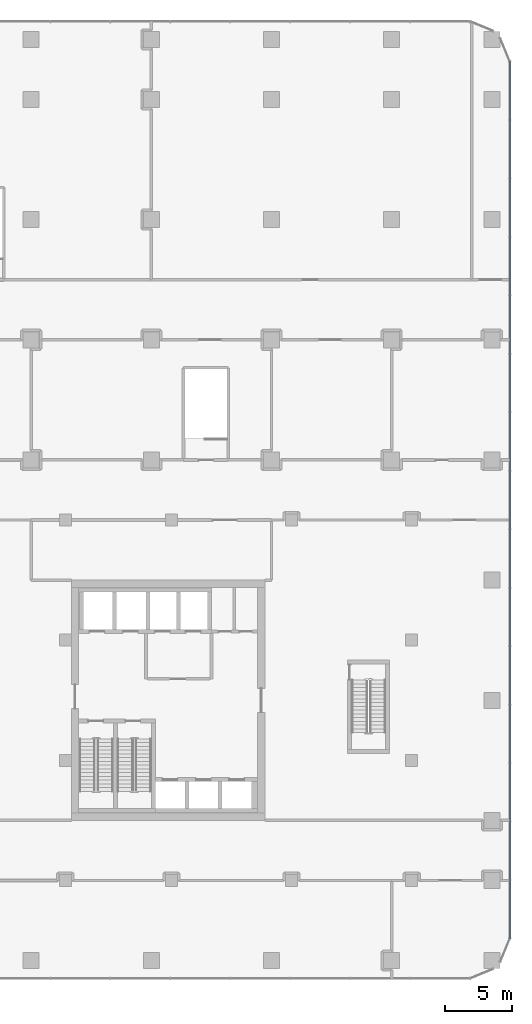
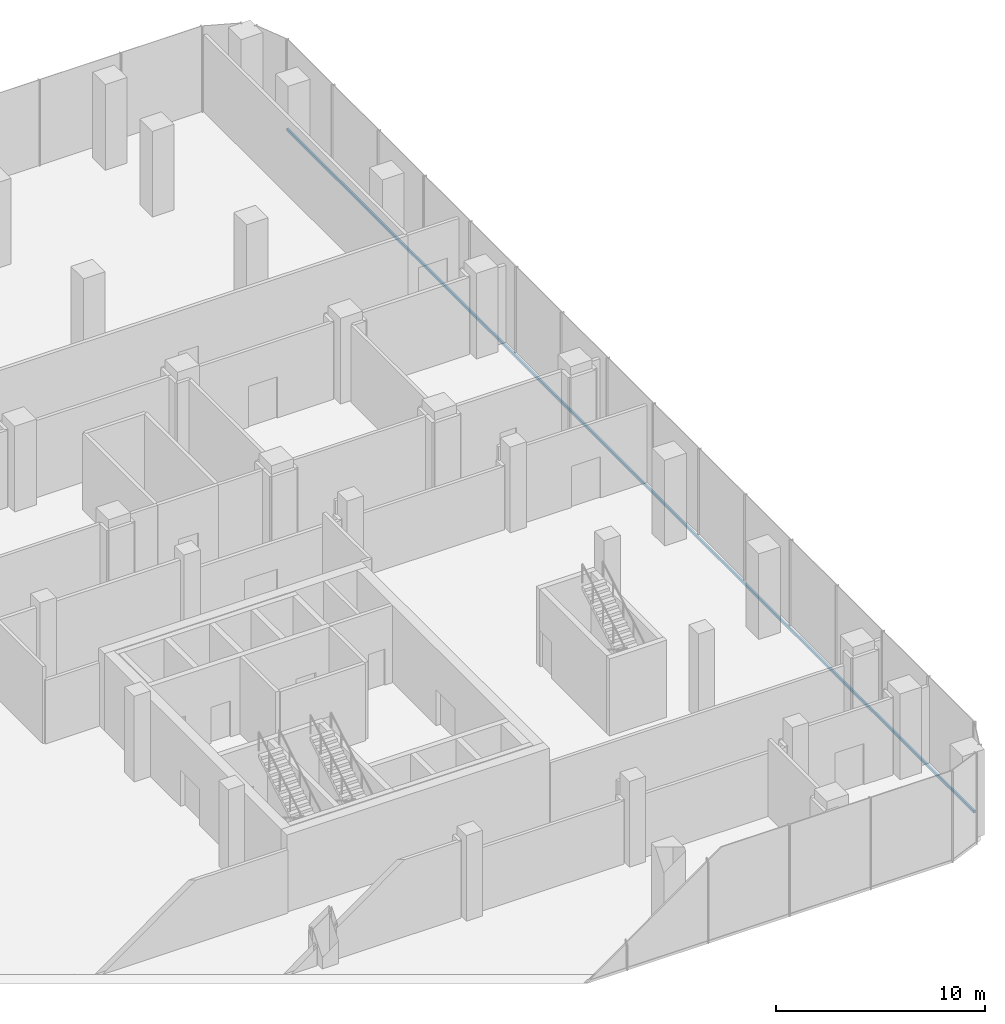
# One storey, part 14 of 36: 1 member, 1 element without a shape of its own.
"""IFC4 building model written with IfcOpenShell, lengths in metres."""

from ifc_helpers import new_model, si_unit, direction, frame, origin, origin_2d, place, context, subcontext, project, spatial, rectangle, extrude, material, layer, layer_set, material_profile, profile_set, type_object, element, aggregate, save


model = new_model("IFC4")

# Units and contexts
model_context = context("Model", 3, precision=1e-05, world=origin(), true_north=direction((0.0, 1.0)))
body_context = subcontext(model_context, "Body", "Model", "MODEL_VIEW")
ifc_project = project(units=[si_unit("LENGTHUNIT", "METRE"), si_unit("AREAUNIT", "SQUARE_METRE"), si_unit("VOLUMEUNIT", "CUBIC_METRE"), si_unit("PLANEANGLEUNIT", "RADIAN"), si_unit("MASSUNIT", "GRAM", prefix="KILO")], contexts=[model_context])

# Site, building, storey
site_placement = place(None, origin())
site = spatial("IfcSite", under=ifc_project, at=site_placement, CompositionType="ELEMENT")
building_placement = place(site_placement, origin())
building = spatial("IfcBuilding", under=site, at=building_placement, Name="Plateau Cross Towers", CompositionType="ELEMENT")
storey_placement = place(building_placement, frame((0.0, 0.0, 21.800048828125)))
storey = spatial("IfcBuildingStorey", under=building, at=storey_placement, Name="L04", CompositionType="ELEMENT", Elevation=21.800048828125)

# Curtain wall, member
ifc_material_1 = material(Name="Dark low-iron laminated glass", Category="glass")
ifc_layer = layer(ifc_material_1, 0.300048828125)
ifc_layer_set = layer_set([ifc_layer], Name="Dark low-iron laminated glass")
curtain_wall_type = type_object("IfcCurtainWallType", Name="Curtain wall structural silicone CW-C", PredefinedType="NOTDEFINED", material=ifc_layer_set)
curtain_wall_placement = place(storey_placement, origin())
curtain_wall = element("IfcCurtainWall", 1, at=curtain_wall_placement, inside=storey, type_object=curtain_wall_type, Name="ENV/P/L04/P1078_-88", PredefinedType="NOTDEFINED")
ifc_material_2 = material(Name="Black anodised aluminium", Category="aluminium")
ifc_material_profile = material_profile(ifc_material_2, rectangle(XDim=0.10009765625, YDim=0.14990234375, at=origin_2d()), Name="TRANSOM 100x150")
ifc_profile_set = profile_set([ifc_material_profile], Name="Black anodised aluminium")
member_type = type_object("IfcMemberType", Name="Transom 100x150 structural silicone", PredefinedType="USERDEFINED", material=ifc_profile_set)
member_placement = place(storey_placement, frame((107.85009765625, -8.85009765625, -0.275146484375), z_axis=(0.0, 1.0, 0.0), x_axis=(-1.0, 0.0, 0.0)))
member = element("IfcMember", 2, at=member_placement, type_object=member_type, Name="CW-C transom", ObjectType="TRANSOM", PredefinedType="USERDEFINED", context=body_context, shape_type="SweptSolid", body=[
    extrude(rectangle(XDim=0.10009765625, YDim=0.14990234375, at=origin_2d()), origin(), (0.0, 0.0, 1.0), 65.7001953125),
])
aggregate(curtain_wall, [member])

save(model, "model.ifc")
